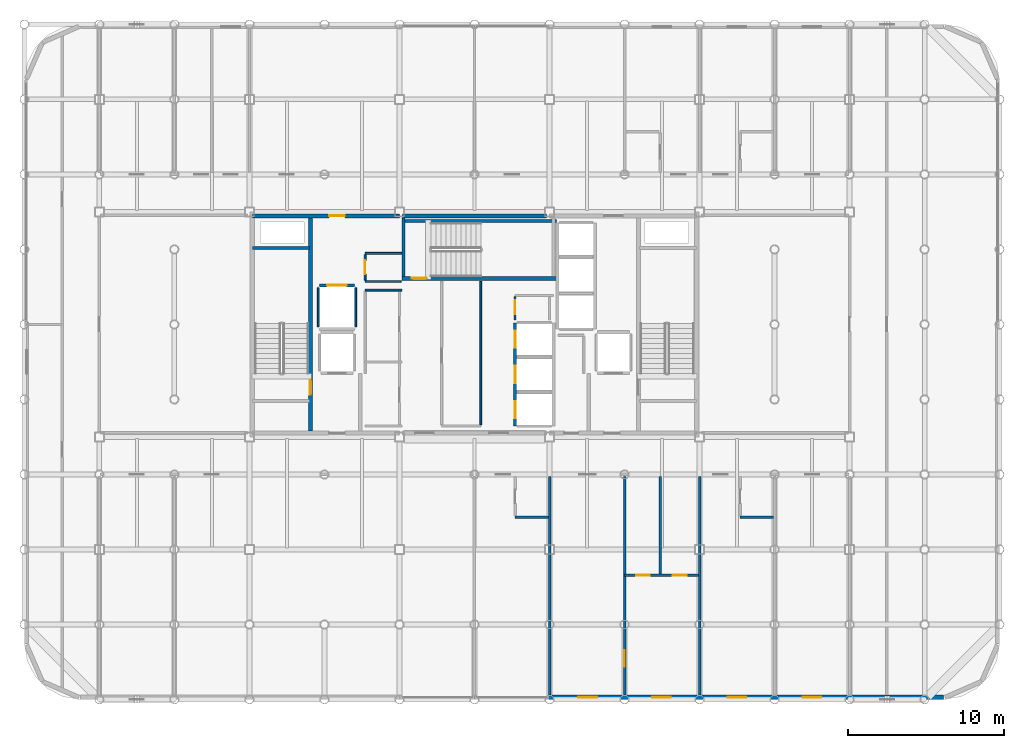
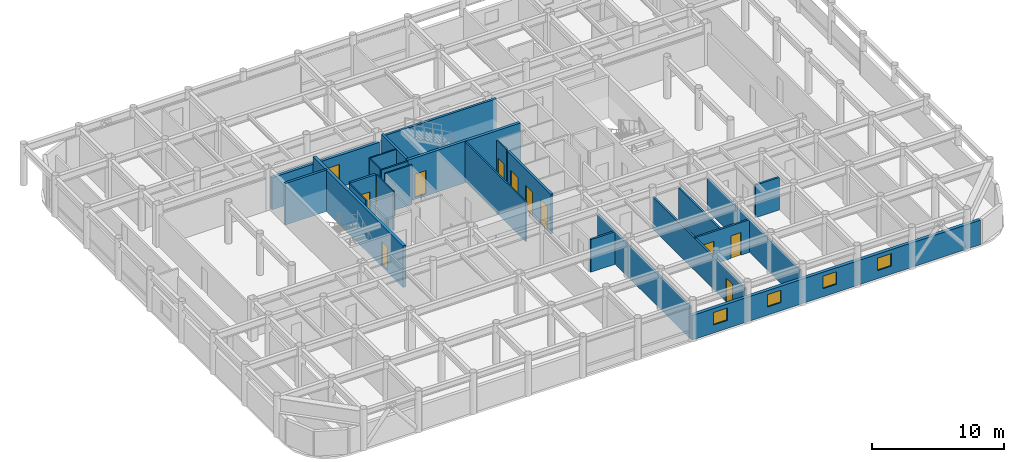
# One storey, part 18 of 21: 25 walls, 12 doors, 4 windows, 16 openings.
"""IFC4 building model written with IfcOpenShell, lengths in metres."""

import ifcopenshell
import ifcopenshell.guid

model = None  # the IFC model being written
_history = None  # IfcOwnerHistory: only IFC2X3 demands one
_inside = {}  # id of a spatial element -> (the spatial element, [elements in it])
_under = {}  # id of a project, library or spatial element -> (it, [spatial elements below it])
_declared = {}  # id of a project -> (the project, [libraries it declares])
_typed = {}  # id of a type object -> (the type object, [elements of that type])
_made_of = {}  # id of a material, layer set ... -> (it, [elements and type objects made of it])


def new_model(schema):
    """Start an empty IFC model of exactly this schema.

    Asked for "IFC4X3", IfcOpenShell would pick the latest addendum, in which some entities
    have other attributes; the version numbers below select the first issue.
    IFC2X3 requires an IfcOwnerHistory on every rooted entity: one is made here for all.
    """
    global model, _history
    if schema == "IFC4X3":
        model = ifcopenshell.file(schema_version=(4, 3, 0, 0))
    else:
        model = ifcopenshell.file(schema=schema)
    _inside.clear()
    _under.clear()
    _declared.clear()
    _typed.clear()
    _made_of.clear()
    _history = None
    if model.schema == "IFC2X3":
        org = make("IfcOrganization", Name="unknown")
        user = make(
            "IfcPersonAndOrganization",
            ThePerson=make("IfcPerson", FamilyName="unknown"),
            TheOrganization=org,
        )
        app = make(
            "IfcApplication",
            ApplicationDeveloper=org,
            Version="unknown",
            ApplicationFullName="unknown",
            ApplicationIdentifier="unknown",
        )
        _history = make(
            "IfcOwnerHistory",
            OwningUser=user,
            OwningApplication=app,
            ChangeAction="ADDED",
            CreationDate=0,
        )
    return model


def make(cls, **values):
    """One entity of the class cls with the attributes given. An attribute that is None is left unset."""
    return model.create_entity(
        cls, **{name: value for name, value in values.items() if value is not None}
    )


def rooted(cls, **values):
    """An entity with a GlobalId (a new one), such as an element, a storey or a relation."""
    return make(cls, GlobalId=ifcopenshell.guid.new(), OwnerHistory=_history, **values)


def si_unit(unit_type, name, prefix=None):
    """IfcSIUnit, for example si_unit("LENGTHUNIT", "METRE", prefix="MILLI")."""
    return make("IfcSIUnit", UnitType=unit_type, Prefix=prefix, Name=name)


def assignment(units):
    """IfcUnitAssignment: the units of a project."""
    return None if units is None else make("IfcUnitAssignment", Units=units)


def point(xyz):
    """IfcCartesianPoint."""
    return None if xyz is None else make("IfcCartesianPoint", Coordinates=xyz)


def direction(xyz):
    """IfcDirection."""
    return None if xyz is None else make("IfcDirection", DirectionRatios=xyz)


def frame(location, z_axis=None, x_axis=None):
    """IfcAxis2Placement3D, a coordinate frame: its origin and axes. An axis left out is left unset."""
    return make(
        "IfcAxis2Placement3D",
        Location=point(location),
        Axis=direction(z_axis),
        RefDirection=direction(x_axis),
    )


def frame_2d(location, x_axis=None):
    """IfcAxis2Placement2D, a coordinate frame in the plane: its origin and x axis."""
    return make(
        "IfcAxis2Placement2D", Location=point(location), RefDirection=direction(x_axis)
    )


def origin():
    """The frame at (0, 0, 0) with its axes left unset."""
    return frame((0.0, 0.0, 0.0))


def place(relative_to, where):
    """IfcLocalPlacement: puts the frame where relative to a parent placement (None: the world)."""
    return make(
        "IfcLocalPlacement", PlacementRelTo=relative_to, RelativePlacement=where
    )


def context(
    kind, dimensions, precision=None, world=None, true_north=None, identifier=None
):
    """IfcGeometricRepresentationContext, for example the 3D "Model" context."""
    return make(
        "IfcGeometricRepresentationContext",
        ContextIdentifier=identifier,
        ContextType=kind,
        CoordinateSpaceDimension=dimensions,
        Precision=precision,
        WorldCoordinateSystem=world,
        TrueNorth=true_north,
    )


def subcontext(parent, identifier, kind, view, scale=None):
    """IfcGeometricRepresentationSubContext, for example "Body" below "Model"."""
    return make(
        "IfcGeometricRepresentationSubContext",
        ContextIdentifier=identifier,
        ContextType=kind,
        ParentContext=parent,
        TargetScale=scale,
        TargetView=view,
    )


def project(units=None, contexts=None):
    """IfcProject with its units and contexts."""
    return rooted(
        "IfcProject",
        Name="project",
        RepresentationContexts=contexts,
        UnitsInContext=assignment(units),
    )


def spatial(cls, under=None, at=None, **own):
    """A site, building, storey or space (cls), placed at a placement, below another one or the project."""
    s = rooted(cls, ObjectPlacement=at, **own)
    if under is not None:
        _under.setdefault(under.id(), (under, []))[1].append(s)
    return s


def profile(cls, at=None, kind="AREA", **sizes):
    """A parametric profile (cls). Its sizes go by their IFC names, for example OverallWidth=200.0."""
    return make(cls, ProfileType=kind, Position=at, **sizes)


def rectangle(**sizes):
    """IfcRectangleProfileDef."""
    return profile("IfcRectangleProfileDef", **sizes)


def extrude(swept, where, along, depth):
    """IfcExtrudedAreaSolid: the profile swept, set in the frame where, extruded along a direction by depth."""
    return make(
        "IfcExtrudedAreaSolid",
        SweptArea=swept,
        Position=where,
        ExtrudedDirection=direction(along),
        Depth=depth,
    )


def shape(context_of_items, identifier, shape_type, items):
    """IfcShapeRepresentation: the items that make up one representation, for example the "Body"."""
    return make(
        "IfcShapeRepresentation",
        ContextOfItems=context_of_items,
        RepresentationIdentifier=identifier,
        RepresentationType=shape_type,
        Items=items,
    )


def material(Name=None, Category=None):
    """IfcMaterial."""
    return make("IfcMaterial", Name=Name, Category=Category)


def layer(
    of_material, thickness, ventilated=None, Name=None, Category=None, Priority=None
):
    """IfcMaterialLayer: one layer of a wall or slab, of a material (None: an air gap)."""
    return make(
        "IfcMaterialLayer",
        Material=of_material,
        LayerThickness=thickness,
        IsVentilated=ventilated,
        Name=Name,
        Category=Category,
        Priority=Priority,
    )


def layer_set(layers, Name=None):
    """IfcMaterialLayerSet."""
    return make("IfcMaterialLayerSet", MaterialLayers=layers, LayerSetName=Name)


def made_of(thing, what):
    """Note that an element or type object is made of a material, layer set ...; save() writes the relation."""
    if what is not None:
        _made_of.setdefault(what.id(), (what, []))[1].append(thing)
    return thing


def type_object(cls, material=None, **own):
    """A type object (cls), such as IfcWallType, which elements share."""
    return made_of(rooted(cls, **own), material)


def element(
    cls,
    number,
    at=None,
    inside=None,
    cuts=None,
    type_object=None,
    material=None,
    context=None,
    identifier="Body",
    shape_type=None,
    held_by="IfcProductDefinitionShape",
    body=None,
    shapes=None,
    **own,
):
    """One element of the class cls, such as IfcWall. Its Tag is "e" and its number.

    at: its placement. inside: the storey or other place that contains it. cuts: it is an
    opening in that element (IfcRelVoidsElement). A single representation is given by context,
    identifier, shape_type and body (its items); several are given by shapes. held_by: the class
    of the entity that holds the representations. save() writes the other relations.
    """
    e = rooted(cls, Tag="e%d" % number, ObjectPlacement=at, **own)
    if body is not None:
        shapes = [shape(context, identifier, shape_type, body)]
    if shapes is not None:
        e.Representation = make(held_by, Representations=shapes)
    if inside is not None:
        _inside.setdefault(inside.id(), (inside, []))[1].append(e)
    if cuts is not None:
        rooted(
            "IfcRelVoidsElement", RelatingBuildingElement=cuts, RelatedOpeningElement=e
        )
    if type_object is not None:
        _typed.setdefault(type_object.id(), (type_object, []))[1].append(e)
    return made_of(e, material)


def fill(opening, filler):
    """IfcRelFillsElement: the door or window that sits in an opening."""
    return rooted(
        "IfcRelFillsElement",
        RelatingOpeningElement=opening,
        RelatedBuildingElement=filler,
    )


def aggregate(whole, parts):
    """IfcRelAggregates: a whole, such as a stair, and the parts it consists of."""
    return rooted("IfcRelAggregates", RelatingObject=whole, RelatedObjects=parts)


def save(model, path):
    """Write the relations noted so far, then the file.

    IfcRelAggregates (storeys below a building ...), IfcRelContainedInSpatialStructure (elements
    in a storey), IfcRelDefinesByType, IfcRelAssociatesMaterial and IfcRelDeclares: one each for
    every whole, place, type object, material and project.
    """
    for whole, parts in _under.values():
        aggregate(whole, parts)
    for where, things in _inside.values():
        rooted(
            "IfcRelContainedInSpatialStructure",
            RelatedElements=things,
            RelatingStructure=where,
        )
    for kind, things in _typed.values():
        rooted("IfcRelDefinesByType", RelatedObjects=things, RelatingType=kind)
    for what, things in _made_of.values():
        rooted("IfcRelAssociatesMaterial", RelatedObjects=things, RelatingMaterial=what)
    for by, libraries in _declared.values():
        rooted("IfcRelDeclares", RelatingContext=by, RelatedDefinitions=libraries)
    model.write(path)


model = new_model("IFC4")

# Units and contexts
model_context = context("Model", 3, precision=1e-05, world=origin(), true_north=direction((0.0, 1.0)))
body_context = subcontext(model_context, "Body", "Model", "MODEL_VIEW")
ifc_project = project(units=[si_unit("LENGTHUNIT", "METRE"), si_unit("AREAUNIT", "SQUARE_METRE"), si_unit("VOLUMEUNIT", "CUBIC_METRE"), si_unit("PLANEANGLEUNIT", "RADIAN"), si_unit("MASSUNIT", "GRAM", prefix="KILO")], contexts=[model_context])

# Site, building, storey
site_placement = place(None, origin())
site = spatial("IfcSite", under=ifc_project, at=site_placement, CompositionType="ELEMENT")
building_placement = place(site_placement, origin())
building = spatial("IfcBuilding", under=site, at=building_placement, Name="Kallvorn Hotel Tower", CompositionType="ELEMENT")
storey_placement = place(building_placement, frame((0.0, 0.0, 210.75)))
storey = spatial("IfcBuildingStorey", under=building, at=storey_placement, Name="L52", CompositionType="ELEMENT", Elevation=210.75)

# Wall, openings, doors
ifc_material_1 = material(Name="Fire-rated double-layer acoustic gypsum drywall EI 60")
ifc_layer_1 = layer(ifc_material_1, 0.159912109375)
ifc_layer_set_1 = layer_set([ifc_layer_1], Name="WL_DEMISE_160")
wall_type_1 = type_object("IfcWallType", Name="WL_DEMISE_160", PredefinedType="PARTITIONING", material=ifc_layer_set_1)
wall_1_placement = place(storey_placement, frame((9.60009765625, -16.050048828125, 0.0), z_axis=(0.0, 0.0, 1.0), x_axis=(1.0, 0.0, 0.0)))
wall_1 = element("IfcWall", 1, at=wall_1_placement, inside=storey, type_object=wall_type_1, Name="L52 Suite 5202 Executive Bedroom Partition", PredefinedType="PARTITIONING", context=body_context, shape_type="SweptSolid", body=[
    extrude(rectangle(XDim=4.719970703125, YDim=0.159912109375, at=frame_2d((2.35986328125, 0.0))), origin(), (0.0, 0.0, 1.0), 3.02001953125),
])
opening_1_placement = place(wall_1_placement, frame((0.75, 0.0, 0.0)))
opening_1 = element("IfcOpeningElement", 2, at=opening_1_placement, cuts=wall_1, Name="Opening BD-I", PredefinedType="OPENING", context=body_context, shape_type="SweptSolid", body=[
    extrude(rectangle(XDim=0.860107421875, YDim=2.10009765625, at=frame_2d((0.43017578125, 1.050048828125))), frame((0.0, 0.094970703125, 0.0), z_axis=(0.0, -1.0, 0.0), x_axis=(1.0, 0.0, 0.0)), (0.0, 0.0, 1.0), 0.18994140625),
])
opening_2_placement = place(wall_1_placement, frame((3.090087890625, 0.0, 0.0)))
opening_2 = element("IfcOpeningElement", 3, at=opening_2_placement, cuts=wall_1, Name="Opening SVD1", PredefinedType="OPENING", context=body_context, shape_type="SweptSolid", body=[
    extrude(rectangle(XDim=0.89990234375, YDim=2.10009765625, at=frame_2d((0.449951171875, 1.050048828125))), frame((0.0, 0.094970703125, 0.0), z_axis=(0.0, -1.0, 0.0), x_axis=(1.0, 0.0, 0.0)), (0.0, 0.0, 1.0), 0.18994140625),
])
ifc_material_2 = material(Name="Solid-core walnut veneer fire-rated timber door leaf", Category="wood")
door_type_1 = type_object("IfcDoorType", Name="DR_BATH_860x2100", OperationType="NOTDEFINED", PredefinedType="DOOR", material=ifc_material_2)
door_1_placement = place(opening_1_placement, origin())
door_1 = element("IfcDoor", 4, at=door_1_placement, inside=storey, type_object=door_type_1, Name="L52 Suite 5202 En-Suite Bathroom Door", OperationType="SINGLE_SWING_LEFT", OverallHeight=2.10009765625, OverallWidth=0.860107421875, PredefinedType="DOOR", context=body_context, shape_type="SweptSolid", body=[
    extrude(rectangle(XDim=0.860107421875, YDim=2.10009765625, at=frame_2d((0.43017578125, 1.050048828125))), frame((0.0, 0.02490234375, 0.0), z_axis=(0.0, -1.0, 0.0), x_axis=(1.0, 0.0, 0.0)), (0.0, 0.0, 1.0), 0.050048828125),
])
fill(opening_1, door_1)
ifc_material_3 = material(Name="Galvanised painted steel fire-rated door assembly", Category="steel")
door_type_2 = type_object("IfcDoorType", Name="DR_SERV_900x2100", OperationType="NOTDEFINED", PredefinedType="DOOR", material=ifc_material_3)
door_2_placement = place(opening_2_placement, origin())
door_2 = element("IfcDoor", 5, at=door_2_placement, inside=storey, type_object=door_type_2, Name="L52 Suite 5202 Walk-In Dressing Closet Door", OperationType="SINGLE_SWING_RIGHT", OverallHeight=2.10009765625, OverallWidth=0.89990234375, PredefinedType="DOOR", context=body_context, shape_type="SweptSolid", body=[
    extrude(rectangle(XDim=0.89990234375, YDim=2.10009765625, at=frame_2d((0.449951171875, 1.050048828125))), frame((0.0, 0.02490234375, 0.0), z_axis=(0.0, -1.0, 0.0), x_axis=(1.0, 0.0, 0.0)), (0.0, 0.0, 1.0), 0.050048828125),
])
fill(opening_2, door_2)

# Walls
wall_2_placement = place(storey_placement, frame((2.590087890625, -12.320068359375, 0.0), z_axis=(0.0, 0.0, 1.0), x_axis=(1.0, 0.0, 0.0)))
element("IfcWall", 6, at=wall_2_placement, inside=storey, type_object=wall_type_1, Name="L52 Suite 5201 Deluxe King Room Partition", PredefinedType="PARTITIONING", context=body_context, shape_type="SweptSolid", body=[
    extrude(rectangle(XDim=2.1298828125, YDim=0.159912109375, at=frame_2d((1.06494140625, 0.0))), origin(), (0.0, 0.0, 1.0), 3.02001953125),
])
wall_3_placement = place(storey_placement, frame((16.989990234375, -12.320068359375, 0.0), z_axis=(0.0, 0.0, 1.0), x_axis=(1.0, 0.0, 0.0)))
element("IfcWall", 7, at=wall_3_placement, inside=storey, type_object=wall_type_1, Name="L52 Suite 5203 Superior Twin Room Partition", PredefinedType="PARTITIONING", context=body_context, shape_type="SweptSolid", body=[
    extrude(rectangle(XDim=2.130126953125, YDim=0.159912109375, at=frame_2d((1.06494140625, 0.0))), origin(), (0.0, 0.0, 1.0), 3.02001953125),
])
wall_4_placement = place(storey_placement, frame((4.800048828125, -23.7099609375, 0.0), z_axis=(0.0, 0.0, 1.0), x_axis=(0.0, 1.0, 0.0)))
element("IfcWall", 8, at=wall_4_placement, inside=storey, type_object=wall_type_1, Name="L52 Suite 5201 Deluxe King Room Partition", PredefinedType="PARTITIONING", context=body_context, shape_type="SweptSolid", body=[
    extrude(rectangle(XDim=13.989990234375, YDim=0.159912109375, at=frame_2d((6.9951171875, 0.0))), origin(), (0.0, 0.0, 1.0), 2.969970703125),
])

# Wall, opening, door
wall_5_placement = place(storey_placement, frame((9.60009765625, -23.7099609375, 0.0), z_axis=(0.0, 0.0, 1.0), x_axis=(0.0, 1.0, 0.0)))
wall_5 = element("IfcWall", 9, at=wall_5_placement, inside=storey, type_object=wall_type_1, Name="L52 Suite 5202 Executive Bedroom Partition", PredefinedType="PARTITIONING", context=body_context, shape_type="SweptSolid", body=[
    extrude(rectangle(XDim=13.989990234375, YDim=0.159912109375, at=frame_2d((6.9951171875, 0.0))), origin(), (0.0, 0.0, 1.0), 2.969970703125),
])
opening_3_placement = place(wall_5_placement, frame((1.802978515625, 0.0, 0.0)))
opening_3 = element("IfcOpeningElement", 10, at=opening_3_placement, cuts=wall_5, Name="Opening GD2", PredefinedType="OPENING", context=body_context, shape_type="SweptSolid", body=[
    extrude(rectangle(XDim=1.050048828125, YDim=2.199951171875, at=frame_2d((0.52490234375, 1.10009765625))), frame((0.0, 0.094970703125, 0.0), z_axis=(0.0, -1.0, 0.0), x_axis=(1.0, 0.0, 0.0)), (0.0, 0.0, 1.0), 0.18994140625),
])
ifc_material_4 = material(Name="Solid-core walnut veneer fire-rated timber door leaf", Category="wood")
door_type_3 = type_object("IfcDoorType", Name="DR_SUITE_1050x2200", OperationType="NOTDEFINED", PredefinedType="DOOR", material=ifc_material_4)
door_3_placement = place(opening_3_placement, origin())
door_3 = element("IfcDoor", 11, at=door_3_placement, inside=storey, type_object=door_type_3, Name="L52 Suite 5202 Executive Bedroom Door", OperationType="SINGLE_SWING_RIGHT", OverallHeight=2.199951171875, OverallWidth=1.050048828125, PredefinedType="DOOR", context=body_context, shape_type="SweptSolid", body=[
    extrude(rectangle(XDim=1.050048828125, YDim=2.199951171875, at=frame_2d((0.52490234375, 1.10009765625))), frame((0.0, 0.02490234375, 0.0), z_axis=(0.0, -1.0, 0.0), x_axis=(1.0, 0.0, 0.0)), (0.0, 0.0, 1.0), 0.050048828125),
])
fill(opening_3, door_3)

# Wall
wall_6_placement = place(storey_placement, frame((14.39990234375, -23.7099609375, 0.0), z_axis=(0.0, 0.0, 1.0), x_axis=(0.0, 1.0, 0.0)))
element("IfcWall", 12, at=wall_6_placement, inside=storey, type_object=wall_type_1, Name="L52 Suite 5202 Executive Bedroom Partition", PredefinedType="PARTITIONING", context=body_context, shape_type="SweptSolid", body=[
    extrude(rectangle(XDim=13.989990234375, YDim=0.159912109375, at=frame_2d((6.9951171875, 0.0))), origin(), (0.0, 0.0, 1.0), 2.969970703125),
])

# Wall, openings, windows
ifc_material_5 = material(Name="Precast basalt-clad insulated concrete wall C40/50", Category="masonry")
ifc_layer_2 = layer(ifc_material_5, 0.280029296875)
ifc_layer_set_2 = layer_set([ifc_layer_2], Name="WL_EXT_LOGGIA_280")
wall_type_2 = type_object("IfcWallType", Name="WL_EXT_LOGGIA_280", PredefinedType="SOLIDWALL", material=ifc_layer_set_2)
wall_7_placement = place(storey_placement, frame((4.75, -23.860107421875, 0.0), z_axis=(0.0, 0.0, 1.0), x_axis=(1.0, 0.0, 0.0)))
wall_7 = element("IfcWall", 13, at=wall_7_placement, inside=storey, type_object=wall_type_2, Name="L52 Exterior Envelope Wall EW-L52-SE", PredefinedType="SOLIDWALL", context=body_context, shape_type="SweptSolid", body=[
    extrude(rectangle(XDim=25.25, YDim=0.280029296875, at=frame_2d((12.625, 0.0))), origin(), (0.0, 0.0, 1.0), 2.27001953125),
])
opening_4_placement = place(wall_7_placement, frame((16.25, 0.0, 0.75)))
opening_4 = element("IfcOpeningElement", 14, at=opening_4_placement, cuts=wall_7, Name="Opening W06A", PredefinedType="OPENING", context=body_context, shape_type="SweptSolid", body=[
    extrude(rectangle(XDim=1.199951171875, YDim=1.14990234375, at=frame_2d((0.60009765625, 0.574951171875))), frame((0.0, 0.155029296875, 0.0), z_axis=(0.0, -1.0, 0.0), x_axis=(1.0, 0.0, 0.0)), (0.0, 0.0, 1.0), 0.31005859375),
])
opening_5_placement = place(wall_7_placement, frame((1.889892578125, 0.0, 0.75)))
opening_5 = element("IfcOpeningElement", 15, at=opening_5_placement, cuts=wall_7, Name="Opening W06A", PredefinedType="OPENING", context=body_context, shape_type="SweptSolid", body=[
    extrude(rectangle(XDim=1.199951171875, YDim=1.14990234375, at=frame_2d((0.60009765625, 0.574951171875))), frame((0.0, 0.155029296875, 0.0), z_axis=(0.0, -1.0, 0.0), x_axis=(1.0, 0.0, 0.0)), (0.0, 0.0, 1.0), 0.31005859375),
])
opening_6_placement = place(wall_7_placement, frame((6.610107421875, 0.0, 0.75)))
opening_6 = element("IfcOpeningElement", 16, at=opening_6_placement, cuts=wall_7, Name="Opening W06A", PredefinedType="OPENING", context=body_context, shape_type="SweptSolid", body=[
    extrude(rectangle(XDim=1.199951171875, YDim=1.14990234375, at=frame_2d((0.60009765625, 0.574951171875))), frame((0.0, 0.155029296875, 0.0), z_axis=(0.0, -1.0, 0.0), x_axis=(1.0, 0.0, 0.0)), (0.0, 0.0, 1.0), 0.31005859375),
])
opening_7_placement = place(wall_7_placement, frame((11.449951171875, 0.0, 0.75)))
opening_7 = element("IfcOpeningElement", 17, at=opening_7_placement, cuts=wall_7, Name="Opening W06A", PredefinedType="OPENING", context=body_context, shape_type="SweptSolid", body=[
    extrude(rectangle(XDim=1.199951171875, YDim=1.14990234375, at=frame_2d((0.60009765625, 0.574951171875))), frame((0.0, 0.155029296875, 0.0), z_axis=(0.0, -1.0, 0.0), x_axis=(1.0, 0.0, 0.0)), (0.0, 0.0, 1.0), 0.31005859375),
])
ifc_material_6 = material(Name="Triple-glazed low-e acoustic solar-control dark glass", Category="glass")
window_type = type_object("IfcWindowType", Name="WN_HTL_1200x1150", PartitioningType="SINGLE_PANEL", PredefinedType="WINDOW", material=ifc_material_6)
window_1_placement = place(opening_4_placement, origin())
window_1 = element("IfcWindow", 18, at=window_1_placement, inside=storey, type_object=window_type, Name="L52 Guestroom Exterior Window 01", OverallHeight=1.14990234375, OverallWidth=1.199951171875, PartitioningType="SINGLE_PANEL", PredefinedType="WINDOW", context=body_context, shape_type="SweptSolid", body=[
    extrude(rectangle(XDim=1.199951171875, YDim=1.14990234375, at=frame_2d((0.60009765625, 0.574951171875))), frame((0.0, 0.030029296875, 0.0), z_axis=(0.0, -1.0, 0.0), x_axis=(1.0, 0.0, 0.0)), (0.0, 0.0, 1.0), 0.06005859375),
])
fill(opening_4, window_1)
window_2_placement = place(opening_5_placement, origin())
window_2 = element("IfcWindow", 19, at=window_2_placement, inside=storey, type_object=window_type, Name="L52 Guestroom Exterior Window 04", OverallHeight=1.14990234375, OverallWidth=1.199951171875, PartitioningType="SINGLE_PANEL", PredefinedType="WINDOW", context=body_context, shape_type="SweptSolid", body=[
    extrude(rectangle(XDim=1.199951171875, YDim=1.14990234375, at=frame_2d((0.60009765625, 0.574951171875))), frame((0.0, 0.030029296875, 0.0), z_axis=(0.0, -1.0, 0.0), x_axis=(1.0, 0.0, 0.0)), (0.0, 0.0, 1.0), 0.06005859375),
])
fill(opening_5, window_2)
window_3_placement = place(opening_6_placement, origin())
window_3 = element("IfcWindow", 20, at=window_3_placement, inside=storey, type_object=window_type, Name="L52 Guestroom Exterior Window 05", OverallHeight=1.14990234375, OverallWidth=1.199951171875, PartitioningType="SINGLE_PANEL", PredefinedType="WINDOW", context=body_context, shape_type="SweptSolid", body=[
    extrude(rectangle(XDim=1.199951171875, YDim=1.14990234375, at=frame_2d((0.60009765625, 0.574951171875))), frame((0.0, 0.030029296875, 0.0), z_axis=(0.0, -1.0, 0.0), x_axis=(1.0, 0.0, 0.0)), (0.0, 0.0, 1.0), 0.06005859375),
])
fill(opening_6, window_3)
window_4_placement = place(opening_7_placement, origin())
window_4 = element("IfcWindow", 21, at=window_4_placement, inside=storey, type_object=window_type, Name="L52 Guestroom Exterior Window 06", OverallHeight=1.14990234375, OverallWidth=1.199951171875, PartitioningType="SINGLE_PANEL", PredefinedType="WINDOW", context=body_context, shape_type="SweptSolid", body=[
    extrude(rectangle(XDim=1.199951171875, YDim=1.14990234375, at=frame_2d((0.60009765625, 0.574951171875))), frame((0.0, 0.030029296875, 0.0), z_axis=(0.0, -1.0, 0.0), x_axis=(1.0, 0.0, 0.0)), (0.0, 0.0, 1.0), 0.06005859375),
])
fill(opening_7, window_4)

# Walls
ifc_material_7 = material(Name="Concrete C40/50", Category="concrete")
ifc_layer_3 = layer(ifc_material_7, 0.199951171875)
ifc_layer_set_3 = layer_set([ifc_layer_3], Name="WL_HOIST_200")
wall_type_3 = type_object("IfcWallType", Name="WL_HOIST_200", PredefinedType="SOLIDWALL", material=ifc_layer_set_3)
wall_8_placement = place(storey_placement, frame((-14.199951171875, 4.89990234375, -0.179931640625), z_axis=(0.0, 0.0, 1.0), x_axis=(1.0, 0.0, 0.0)))
element("IfcWall", 22, at=wall_8_placement, inside=storey, type_object=wall_type_3, Name="L52 Stair ST1 North Wall", PredefinedType="SOLIDWALL", context=body_context, shape_type="SweptSolid", body=[
    extrude(rectangle(XDim=3.64990234375, YDim=0.199951171875, at=frame_2d((1.824951171875, 0.0))), origin(), (0.0, 0.0, 1.0), 3.849853515625),
])
wall_9_placement = place(storey_placement, frame((-4.64990234375, 6.610107421875, -0.179931640625), z_axis=(0.0, 0.0, 1.0), x_axis=(1.0, 0.0, 0.0)))
element("IfcWall", 23, at=wall_9_placement, inside=storey, type_object=wall_type_3, Name="L52 Stair ST3 Shaft North Wall", PredefinedType="SOLIDWALL", context=body_context, shape_type="SweptSolid", body=[
    extrude(rectangle(XDim=9.89990234375, YDim=0.199951171875, at=frame_2d((4.949951171875, 0.0))), origin(), (0.0, 0.0, 1.0), 3.849853515625),
])
wall_10_placement = place(storey_placement, frame((-4.550048828125, 3.080078125, -0.179931640625), z_axis=(0.0, 0.0, 1.0), x_axis=(0.0, 1.0, 0.0)))
element("IfcWall", 24, at=wall_10_placement, inside=storey, type_object=wall_type_3, Name="L52 Stair ST3 West Wall", PredefinedType="SOLIDWALL", context=body_context, shape_type="SweptSolid", body=[
    extrude(rectangle(XDim=3.739990234375, YDim=0.199951171875, at=frame_2d((1.8701171875, 0.0))), origin(), (0.0, 0.0, 1.0), 3.849853515625),
])

# Wall, openings, doors
wall_11_placement = place(storey_placement, frame((2.60009765625, -6.5, 0.0), z_axis=(0.0, 0.0, 1.0), x_axis=(0.0, 1.0, 0.0)))
wall_11 = element("IfcWall", 25, at=wall_11_placement, inside=storey, type_object=wall_type_3, Name="L52 Lift Bank B3A Landing Wall", PredefinedType="SOLIDWALL", context=body_context, shape_type="SweptSolid", body=[
    extrude(rectangle(XDim=6.60009765625, YDim=0.199951171875, at=frame_2d((3.300048828125, 0.0))), origin(), (0.0, 0.0, 1.0), 3.669921875),
])
opening_8_placement = place(wall_11_placement, frame((0.5, 0.0, 0.0)))
opening_8 = element("IfcOpeningElement", 26, at=opening_8_placement, cuts=wall_11, Name="Opening LD-PL-09", PredefinedType="OPENING", context=body_context, shape_type="SweptSolid", body=[
    extrude(rectangle(XDim=1.10009765625, YDim=2.199951171875, at=frame_2d((0.550048828125, 1.10009765625))), frame((0.0, 0.114990234375, 0.0), z_axis=(0.0, -1.0, 0.0), x_axis=(1.0, 0.0, 0.0)), (0.0, 0.0, 1.0), 0.22998046875),
])
opening_9_placement = place(wall_11_placement, frame((2.75, 0.0, 0.0)))
opening_9 = element("IfcOpeningElement", 27, at=opening_9_placement, cuts=wall_11, Name="Opening LD-PL-10", PredefinedType="OPENING", context=body_context, shape_type="SweptSolid", body=[
    extrude(rectangle(XDim=1.10009765625, YDim=2.199951171875, at=frame_2d((0.550048828125, 1.10009765625))), frame((0.0, 0.114990234375, 0.0), z_axis=(0.0, -1.0, 0.0), x_axis=(1.0, 0.0, 0.0)), (0.0, 0.0, 1.0), 0.22998046875),
])
opening_10_placement = place(wall_11_placement, frame((5.0, 0.0, 0.0)))
opening_10 = element("IfcOpeningElement", 28, at=opening_10_placement, cuts=wall_11, Name="Opening LD-PL-11", PredefinedType="OPENING", context=body_context, shape_type="SweptSolid", body=[
    extrude(rectangle(XDim=1.10009765625, YDim=2.199951171875, at=frame_2d((0.550048828125, 1.10009765625))), frame((0.0, 0.114990234375, 0.0), z_axis=(0.0, -1.0, 0.0), x_axis=(1.0, 0.0, 0.0)), (0.0, 0.0, 1.0), 0.22998046875),
])
ifc_material_8 = material(Name="Brushed stainless-steel automatic sliding lift landing door", Category="steel")
door_type_4 = type_object("IfcDoorType", Name="LD_PASS_1100x2200", OperationType="SLIDING_TO_LEFT", PredefinedType="DOOR", material=ifc_material_8)
door_4_placement = place(opening_8_placement, origin())
door_4 = element("IfcDoor", 29, at=door_4_placement, inside=storey, type_object=door_type_4, Name="L52 Lift Landing Sliding Door LD-PL-09", OperationType="SLIDING_TO_LEFT", OverallHeight=2.199951171875, OverallWidth=1.10009765625, PredefinedType="DOOR", context=body_context, shape_type="SweptSolid", body=[
    extrude(rectangle(XDim=1.10009765625, YDim=2.199951171875, at=frame_2d((0.550048828125, 1.10009765625))), frame((0.0, 0.02490234375, 0.0), z_axis=(0.0, -1.0, 0.0), x_axis=(1.0, 0.0, 0.0)), (0.0, 0.0, 1.0), 0.050048828125),
])
fill(opening_8, door_4)
door_5_placement = place(opening_9_placement, origin())
door_5 = element("IfcDoor", 30, at=door_5_placement, inside=storey, type_object=door_type_4, Name="L52 Lift Landing Sliding Door LD-PL-10", OperationType="SLIDING_TO_LEFT", OverallHeight=2.199951171875, OverallWidth=1.10009765625, PredefinedType="DOOR", context=body_context, shape_type="SweptSolid", body=[
    extrude(rectangle(XDim=1.10009765625, YDim=2.199951171875, at=frame_2d((0.550048828125, 1.10009765625))), frame((0.0, 0.02490234375, 0.0), z_axis=(0.0, -1.0, 0.0), x_axis=(1.0, 0.0, 0.0)), (0.0, 0.0, 1.0), 0.050048828125),
])
fill(opening_9, door_5)
door_6_placement = place(opening_10_placement, origin())
door_6 = element("IfcDoor", 31, at=door_6_placement, inside=storey, type_object=door_type_4, Name="L52 Lift Landing Sliding Door LD-PL-11", OperationType="SLIDING_TO_LEFT", OverallHeight=2.199951171875, OverallWidth=1.10009765625, PredefinedType="DOOR", context=body_context, shape_type="SweptSolid", body=[
    extrude(rectangle(XDim=1.10009765625, YDim=2.199951171875, at=frame_2d((0.550048828125, 1.10009765625))), frame((0.0, 0.02490234375, 0.0), z_axis=(0.0, -1.0, 0.0), x_axis=(1.0, 0.0, 0.0)), (0.0, 0.0, 1.0), 0.050048828125),
])
fill(opening_10, door_6)

# Wall, opening, door
wall_12_placement = place(storey_placement, frame((-9.919921875, 2.5, 0.0), z_axis=(0.0, 0.0, 1.0), x_axis=(1.0, 0.0, 0.0)))
wall_12 = element("IfcWall", 32, at=wall_12_placement, inside=storey, type_object=wall_type_3, Name="L52 SV-01 Landing Wall", PredefinedType="SOLIDWALL", context=body_context, shape_type="SweptSolid", body=[
    extrude(rectangle(XDim=2.239990234375, YDim=0.199951171875, at=frame_2d((1.1201171875, 0.0))), origin(), (0.0, 0.0, 1.0), 3.669921875),
])
opening_11_placement = place(wall_12_placement, frame((0.4951171875, 0.0, 0.0)))
opening_11 = element("IfcOpeningElement", 33, at=opening_11_placement, cuts=wall_12, Name="Opening LD-SV-01", PredefinedType="OPENING", context=body_context, shape_type="SweptSolid", body=[
    extrude(rectangle(XDim=1.25, YDim=2.25, at=frame_2d((0.625, 1.125))), frame((0.0, 0.114990234375, 0.0), z_axis=(0.0, -1.0, 0.0), x_axis=(1.0, 0.0, 0.0)), (0.0, 0.0, 1.0), 0.22998046875),
])
ifc_material_9 = material(Name="Brushed stainless-steel automatic sliding lift landing door", Category="steel")
door_type_5 = type_object("IfcDoorType", Name="LD_SERV_1250x2250", OperationType="SLIDING_TO_LEFT", PredefinedType="DOOR", material=ifc_material_9)
door_7_placement = place(opening_11_placement, origin())
door_7 = element("IfcDoor", 34, at=door_7_placement, inside=storey, type_object=door_type_5, Name="L52 Lift Landing Sliding Door LD-SV-01", OperationType="SLIDING_TO_LEFT", OverallHeight=2.25, OverallWidth=1.25, PredefinedType="DOOR", context=body_context, shape_type="SweptSolid", body=[
    extrude(rectangle(XDim=1.25, YDim=2.25, at=frame_2d((0.625, 1.125))), frame((0.0, 0.02490234375, 0.0), z_axis=(0.0, -1.0, 0.0), x_axis=(1.0, 0.0, 0.0)), (0.0, 0.0, 1.0), 0.050048828125),
])
fill(opening_11, door_7)

# Walls
ifc_material_10 = material(Name="Fire-rated double-layer acoustic gypsum drywall EI 60")
ifc_layer_4 = layer(ifc_material_10, 0.1201171875)
ifc_layer_set_4 = layer_set([ifc_layer_4], Name="WL_INT_120")
wall_type_4 = type_object("IfcWallType", Name="WL_INT_120", PredefinedType="PARTITIONING", material=ifc_layer_set_4)
for number, where, z_axis, x_axis, name in (
    (35, (-10.0, -0.159912109375, 0.0), (0.0, 0.0, 1.0), (0.0, 1.0, 0.0), "L52 SV-01 West Shaft Wall"),
    (36, (-7.60009765625, -0.159912109375, 0.0), (0.0, 0.0, 1.0), (0.0, 1.0, 0.0), "L52 SV-01 East Shaft Wall"),
):
    element("IfcWall", number, at=place(storey_placement, frame(where, z_axis=z_axis, x_axis=x_axis)), inside=storey, type_object=wall_type_4, Name=name, PredefinedType="PARTITIONING", context=body_context, shape_type="SweptSolid", body=[
        extrude(rectangle(XDim=2.52001953125, YDim=0.1201171875, at=frame_2d((1.260009765625, 0.0))), origin(), (0.0, 0.0, 1.0), 3.669921875),
    ])
wall_13_placement = place(storey_placement, frame((-7.0, 2.199951171875, 0.0), z_axis=(0.0, 0.0, 1.0), x_axis=(1.0, 0.0, 0.0)))
element("IfcWall", 37, at=wall_13_placement, inside=storey, type_object=wall_type_4, Name="L52 Recaptured Central Linen Store Partition", PredefinedType="PARTITIONING", context=body_context, shape_type="SweptSolid", body=[
    extrude(rectangle(XDim=2.35009765625, YDim=0.1201171875, at=frame_2d((1.175048828125, 0.0))), origin(), (0.0, 0.0, 1.0), 3.669921875),
])
wall_14_placement = place(storey_placement, frame((-7.0, 2.75, 0.0), z_axis=(0.0, 0.0, 1.0), x_axis=(1.0, 0.0, 0.0)))
element("IfcWall", 38, at=wall_14_placement, inside=storey, type_object=wall_type_4, Name="L52 Recaptured North Valet Closet Partition", PredefinedType="PARTITIONING", context=body_context, shape_type="SweptSolid", body=[
    extrude(rectangle(XDim=2.31005859375, YDim=0.1201171875, at=frame_2d((1.155029296875, 0.0))), origin(), (0.0, 0.0, 1.0), 3.669921875),
])
wall_15_placement = place(storey_placement, frame((-7.0, 4.550048828125, 0.0), z_axis=(0.0, 0.0, 1.0), x_axis=(1.0, 0.0, 0.0)))
element("IfcWall", 39, at=wall_15_placement, inside=storey, type_object=wall_type_4, Name="L52 Recaptured North Valet Closet Partition", PredefinedType="PARTITIONING", context=body_context, shape_type="SweptSolid", body=[
    extrude(rectangle(XDim=2.35009765625, YDim=0.1201171875, at=frame_2d((1.175048828125, 0.0))), origin(), (0.0, 0.0, 1.0), 3.669921875),
])

# Wall, opening, door
wall_16_placement = place(storey_placement, frame((-7.0, 2.8349609375, 0.0), z_axis=(0.0, 0.0, 1.0), x_axis=(0.0, 1.0, 0.0)))
wall_16 = element("IfcWall", 40, at=wall_16_placement, inside=storey, type_object=wall_type_4, Name="L52 Recaptured North Valet Closet Partition", PredefinedType="PARTITIONING", context=body_context, shape_type="SweptSolid", body=[
    extrude(rectangle(XDim=1.630126953125, YDim=0.1201171875, at=frame_2d((0.81494140625, 0.0))), origin(), (0.0, 0.0, 1.0), 3.669921875),
])
opening_12_placement = place(wall_16_placement, frame((0.364990234375, 0.0, 0.0)))
opening_12 = element("IfcOpeningElement", 41, at=opening_12_placement, cuts=wall_16, Name="Opening SVD1", PredefinedType="OPENING", context=body_context, shape_type="SweptSolid", body=[
    extrude(rectangle(XDim=0.89990234375, YDim=2.10009765625, at=frame_2d((0.449951171875, 1.050048828125))), frame((0.0, 0.074951171875, 0.0), z_axis=(0.0, -1.0, 0.0), x_axis=(1.0, 0.0, 0.0)), (0.0, 0.0, 1.0), 0.150146484375),
])
door_8_placement = place(opening_12_placement, origin())
door_8 = element("IfcDoor", 42, at=door_8_placement, inside=storey, type_object=door_type_2, Name="L52 Recaptured North Valet Closet Door", OperationType="SINGLE_SWING_LEFT", OverallHeight=2.10009765625, OverallWidth=0.89990234375, PredefinedType="DOOR", context=body_context, shape_type="SweptSolid", body=[
    extrude(rectangle(XDim=0.89990234375, YDim=2.10009765625, at=frame_2d((0.449951171875, 1.050048828125))), frame((0.0, 0.02490234375, 0.0), z_axis=(0.0, -1.0, 0.0), x_axis=(1.0, 0.0, 0.0)), (0.0, 0.0, 1.0), 0.050048828125),
])
fill(opening_12, door_8)

# Wall
wall_17_placement = place(storey_placement, frame((0.39990234375, -6.4150390625, 0.0), z_axis=(0.0, 0.0, 1.0), x_axis=(0.0, 1.0, 0.0)))
element("IfcWall", 43, at=wall_17_placement, inside=storey, type_object=wall_type_4, Name="L52 Altitude Executive Pantry and Ice Room Partition", PredefinedType="PARTITIONING", context=body_context, shape_type="SweptSolid", body=[
    extrude(rectangle(XDim=9.1650390625, YDim=0.1201171875, at=frame_2d((4.58251953125, 0.0))), origin(), (0.0, 0.0, 1.0), 3.669921875),
])

# Wall, opening, door
wall_18_placement = place(storey_placement, frame((2.59326171875, 0.300048828125, 0.0), z_axis=(0.0, 0.0, 1.0), x_axis=(0.0, 1.0, 0.0)))
wall_18 = element("IfcWall", 44, at=wall_18_placement, inside=storey, type_object=wall_type_4, Name="L52 East Core Ice Pantry Partition", PredefinedType="PARTITIONING", context=body_context, shape_type="SweptSolid", body=[
    extrude(rectangle(XDim=1.46484375, YDim=0.1201171875, at=frame_2d((0.732421875, 0.0))), origin(), (0.0, 0.0, 1.0), 3.669921875),
])
opening_13_placement = place(wall_18_placement, frame((0.344970703125, 0.0, 0.0)))
opening_13 = element("IfcOpeningElement", 45, at=opening_13_placement, cuts=wall_18, Name="Opening SVD1", PredefinedType="OPENING", context=body_context, shape_type="SweptSolid", body=[
    extrude(rectangle(XDim=0.89990234375, YDim=2.10009765625, at=frame_2d((0.449951171875, 1.050048828125))), frame((0.0, 0.074951171875, 0.0), z_axis=(0.0, -1.0, 0.0), x_axis=(1.0, 0.0, 0.0)), (0.0, 0.0, 1.0), 0.150146484375),
])
door_9_placement = place(opening_13_placement, origin())
door_9 = element("IfcDoor", 46, at=door_9_placement, inside=storey, type_object=door_type_2, Name="L52 East Core Ice Pantry Door", OperationType="SINGLE_SWING_RIGHT", OverallHeight=2.10009765625, OverallWidth=0.89990234375, PredefinedType="DOOR", context=body_context, shape_type="SweptSolid", body=[
    extrude(rectangle(XDim=0.89990234375, YDim=2.10009765625, at=frame_2d((0.449951171875, 1.050048828125))), frame((0.0, 0.02490234375, 0.0), z_axis=(0.0, -1.0, 0.0), x_axis=(1.0, 0.0, 0.0)), (0.0, 0.0, 1.0), 0.050048828125),
])
fill(opening_13, door_9)

# Wall
ifc_material_11 = material(Name="Fire-rated double-layer acoustic gypsum drywall EI 60")
ifc_layer_5 = layer(ifc_material_11, 0.14990234375)
ifc_layer_set_5 = layer_set([ifc_layer_5], Name="WL_PART_150")
wall_type_5 = type_object("IfcWallType", Name="WL_PART_150", PredefinedType="PARTITIONING", material=ifc_layer_set_5)
wall_19_placement = place(storey_placement, frame((11.885009765625, -15.965087890625, 0.0), z_axis=(0.0, 0.0, 1.0), x_axis=(0.0, 1.0, 0.0)))
element("IfcWall", 47, at=wall_19_placement, inside=storey, type_object=wall_type_5, Name="L52 Suite 5202 Walk-In Dressing Closet Partition", PredefinedType="PARTITIONING", context=body_context, shape_type="SweptSolid", body=[
    extrude(rectangle(XDim=6.2451171875, YDim=0.14990234375, at=frame_2d((3.12255859375, 0.0))), origin(), (0.0, 0.0, 1.0), 2.969970703125),
])

# Wall, opening, door
ifc_material_12 = material(Name="Concrete C40/50", Category="concrete")
ifc_layer_6 = layer(ifc_material_12, 0.25)
ifc_layer_set_6 = layer_set([ifc_layer_6], Name="WL_SHAFT_250")
wall_type_6 = type_object("IfcWallType", Name="WL_SHAFT_250", PredefinedType="SOLIDWALL", material=ifc_layer_set_6)
wall_20_placement = place(storey_placement, frame((-14.199951171875, 6.949951171875, 0.0), z_axis=(0.0, 0.0, 1.0), x_axis=(1.0, 0.0, 0.0)))
wall_20 = element("IfcWall", 48, at=wall_20_placement, inside=storey, type_object=wall_type_6, Name="L52 Core North-West Wall", PredefinedType="SOLIDWALL", context=body_context, shape_type="SweptSolid", body=[
    extrude(rectangle(XDim=9.39990234375, YDim=0.25, at=frame_2d((4.699951171875, 0.0))), origin(), (0.0, 0.0, 1.0), 2.969970703125),
])
opening_14_placement = place(wall_20_placement, frame((4.89990234375, 0.0, 0.0)))
opening_14 = element("IfcOpeningElement", 49, at=opening_14_placement, cuts=wall_20, Name="Opening FD1", PredefinedType="OPENING", context=body_context, shape_type="SweptSolid", body=[
    extrude(rectangle(XDim=1.0, YDim=2.14990234375, at=frame_2d((0.5, 1.074951171875))), frame((0.0, 0.139892578125, 0.0), z_axis=(0.0, -1.0, 0.0), x_axis=(1.0, 0.0, 0.0)), (0.0, 0.0, 1.0), 0.280029296875),
])
ifc_material_13 = material(Name="Galvanised painted steel fire-rated door assembly", Category="steel")
door_type_6 = type_object("IfcDoorType", Name="DR_FFL_1000x2150", OperationType="NOTDEFINED", PredefinedType="DOOR", material=ifc_material_13)
door_10_placement = place(opening_14_placement, origin())
door_10 = element("IfcDoor", 50, at=door_10_placement, inside=storey, type_object=door_type_6, Name="L52 Service Lift Lobby Door", OperationType="SINGLE_SWING_LEFT", OverallHeight=2.14990234375, OverallWidth=1.0, PredefinedType="DOOR", context=body_context, shape_type="SweptSolid", body=[
    extrude(rectangle(XDim=1.0, YDim=2.14990234375, at=frame_2d((0.5, 1.074951171875))), frame((0.0, 0.02490234375, 0.0), z_axis=(0.0, -1.0, 0.0), x_axis=(1.0, 0.0, 0.0)), (0.0, 0.0, 1.0), 0.050048828125),
])
fill(opening_14, door_10)

# Wall
wall_21_placement = place(storey_placement, frame((-4.60009765625, 6.949951171875, 0.0), z_axis=(0.0, 0.0, 1.0), x_axis=(1.0, 0.0, 0.0)))
element("IfcWall", 51, at=wall_21_placement, inside=storey, type_object=wall_type_6, Name="L52 Core North-Central Wall", PredefinedType="SOLIDWALL", context=body_context, shape_type="SweptSolid", body=[
    extrude(rectangle(XDim=9.2001953125, YDim=0.25, at=frame_2d((4.60009765625, 0.0))), origin(), (0.0, 0.0, 1.0), 2.969970703125),
])

# Wall, opening, door
wall_22_placement = place(storey_placement, frame((-10.5, -6.820068359375, -0.179931640625), z_axis=(0.0, 0.0, 1.0), x_axis=(0.0, 1.0, 0.0)))
wall_22 = element("IfcWall", 52, at=wall_22_placement, inside=storey, type_object=wall_type_6, Name="L52 Stair ST1 Shaft Wall", PredefinedType="SOLIDWALL", context=body_context, shape_type="SweptSolid", body=[
    extrude(rectangle(XDim=13.64013671875, YDim=0.25, at=frame_2d((6.820068359375, 0.0))), origin(), (0.0, 0.0, 1.0), 3.849853515625),
])
opening_15_placement = place(wall_22_placement, frame((2.320068359375, 0.0, 0.179931640625)))
opening_15 = element("IfcOpeningElement", 53, at=opening_15_placement, cuts=wall_22, Name="Opening SD1", PredefinedType="OPENING", context=body_context, shape_type="SweptSolid", body=[
    extrude(rectangle(XDim=0.949951171875, YDim=2.14990234375, at=frame_2d((0.47509765625, 1.074951171875))), frame((0.0, 0.139892578125, 0.0), z_axis=(0.0, -1.0, 0.0), x_axis=(1.0, 0.0, 0.0)), (0.0, 0.0, 1.0), 0.280029296875),
])
ifc_material_14 = material(Name="Galvanised painted steel fire-rated door assembly", Category="steel")
door_type_7 = type_object("IfcDoorType", Name="DR_STAIR_950x2150", OperationType="NOTDEFINED", PredefinedType="DOOR", material=ifc_material_14)
door_11_placement = place(opening_15_placement, origin())
door_11 = element("IfcDoor", 54, at=door_11_placement, inside=storey, type_object=door_type_7, Name="L52 Exit Stair ST1 Fire Door", OperationType="SINGLE_SWING_RIGHT", OverallHeight=2.14990234375, OverallWidth=0.949951171875, PredefinedType="DOOR", context=body_context, shape_type="SweptSolid", body=[
    extrude(rectangle(XDim=0.949951171875, YDim=2.14990234375, at=frame_2d((0.47509765625, 1.074951171875))), frame((0.0, 0.02490234375, 0.0), z_axis=(0.0, -1.0, 0.0), x_axis=(1.0, 0.0, 0.0)), (0.0, 0.0, 1.0), 0.050048828125),
])
fill(opening_15, door_11)

wall_23_placement = place(storey_placement, frame((-4.64990234375, 2.949951171875, -0.179931640625), z_axis=(0.0, 0.0, 1.0), x_axis=(1.0, 0.0, 0.0)))
wall_23 = element("IfcWall", 55, at=wall_23_placement, inside=storey, type_object=wall_type_6, Name="L52 Stair ST3 Shaft South Wall", PredefinedType="SOLIDWALL", context=body_context, shape_type="SweptSolid", body=[
    extrude(rectangle(XDim=9.89990234375, YDim=0.25, at=frame_2d((4.949951171875, 0.0))), origin(), (0.0, 0.0, 1.0), 3.849853515625),
])
opening_16_placement = place(wall_23_placement, frame((0.64990234375, 0.0, 0.179931640625)))
opening_16 = element("IfcOpeningElement", 56, at=opening_16_placement, cuts=wall_23, Name="Opening SD1", PredefinedType="OPENING", context=body_context, shape_type="SweptSolid", body=[
    extrude(rectangle(XDim=0.949951171875, YDim=2.14990234375, at=frame_2d((0.47509765625, 1.074951171875))), frame((0.0, 0.139892578125, 0.0), z_axis=(0.0, -1.0, 0.0), x_axis=(1.0, 0.0, 0.0)), (0.0, 0.0, 1.0), 0.280029296875),
])
door_12_placement = place(opening_16_placement, origin())
door_12 = element("IfcDoor", 57, at=door_12_placement, inside=storey, type_object=door_type_7, Name="L52 Exit Stair ST3 Fire Door", OperationType="SINGLE_SWING_LEFT", OverallHeight=2.14990234375, OverallWidth=0.949951171875, PredefinedType="DOOR", context=body_context, shape_type="SweptSolid", body=[
    extrude(rectangle(XDim=0.949951171875, YDim=2.14990234375, at=frame_2d((0.47509765625, 1.074951171875))), frame((0.0, 0.02490234375, 0.0), z_axis=(0.0, -1.0, 0.0), x_axis=(1.0, 0.0, 0.0)), (0.0, 0.0, 1.0), 0.050048828125),
])
fill(opening_16, door_12)

save(model, "model.ifc")
